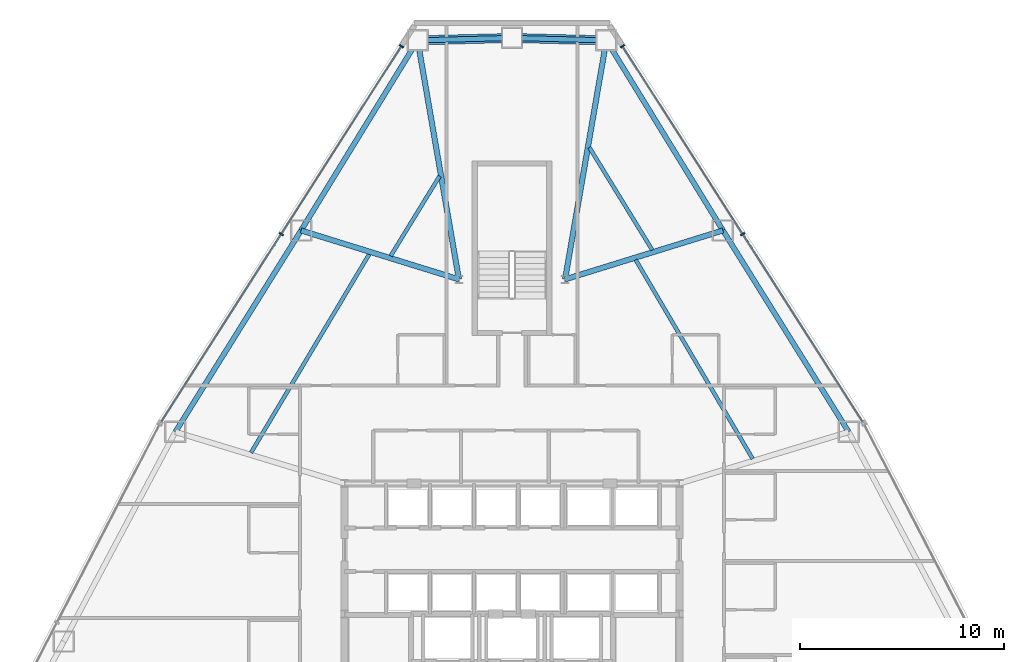
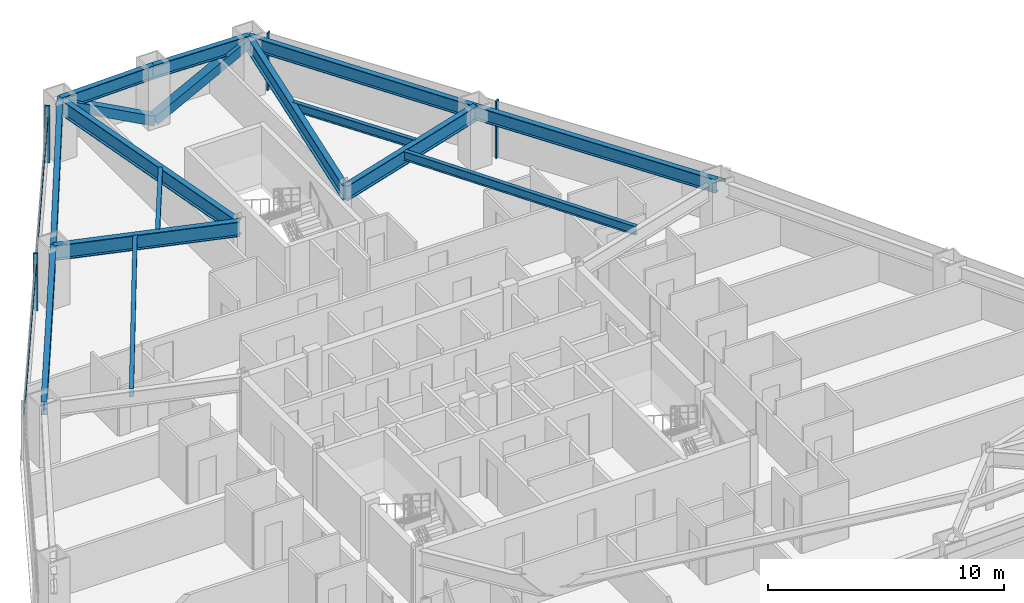
# One storey, part 7 of 13: 14 beams, 8 members, 2 elements without a shape of their own.
"""IFC4 building model written with IfcOpenShell, lengths in metres."""

from ifc_helpers import new_model, si_unit, direction, frame, origin, origin_2d, place, context, subcontext, project, spatial, rectangle, hollow_rectangle, i_section, extrude, source, transform, mapped, material, layer, layer_set, material_profile, profile_set, type_object, type_shapes, element, aggregate, save


model = new_model("IFC4")

# Units and contexts
model_context = context("Model", 3, precision=1e-05, world=origin(), true_north=direction((0.0, 1.0)))
body_context = subcontext(model_context, "Body", "Model", "MODEL_VIEW")
ifc_project = project(units=[si_unit("LENGTHUNIT", "METRE"), si_unit("AREAUNIT", "SQUARE_METRE"), si_unit("VOLUMEUNIT", "CUBIC_METRE"), si_unit("PLANEANGLEUNIT", "RADIAN"), si_unit("MASSUNIT", "GRAM", prefix="KILO")], contexts=[model_context])

# Site, building, storey
site_placement = place(None, origin())
site = spatial("IfcSite", under=ifc_project, at=site_placement, CompositionType="ELEMENT")
building_placement = place(site_placement, origin())
building = spatial("IfcBuilding", under=site, at=building_placement, Name="Varakhsha Concourse Tower", CompositionType="ELEMENT")
storey_placement = place(building_placement, frame((0.0, 0.0, 89.39990234375)))
storey = spatial("IfcBuildingStorey", under=building, at=storey_placement, Name="L25", CompositionType="ELEMENT", Elevation=89.39990234375)

# Beams
ifc_material_1 = material(Name="Structural Steel ASTM A992 Grade 50", Category="steel")
ifc_material_profile_1 = material_profile(ifc_material_1, i_section(OverallWidth=0.26611328125, OverallDepth=0.779052734375, WebThickness=0.01708984375, FlangeThickness=0.030029296875, at=origin_2d()), Name="W30X148")
ifc_profile_set_1 = profile_set([ifc_material_profile_1], Name="Structural Steel ASTM A992 Grade 50")
beam_type_1 = type_object("IfcBeamType", Name="BM-BASE-W30X148", PredefinedType="USERDEFINED", material=ifc_profile_set_1)
for number, where, z_axis, x_axis, name in (
    (1, (42.60009765625, 41.199951171875, 2.58056640625), (0.170345064454, 0.985384472689, 0.0), (-0.985384472689, 0.170345064454, 0.0), "L25 Radial Floor Girder 01"),
    (2, (37.39990234375, 41.199951171875, 2.58056640625), (-0.170345064454, 0.985384472689, 0.0), (-0.985384472689, -0.170345064454, 0.0), "L25 Radial Floor Girder 03"),
):
    element("IfcBeam", number, at=place(storey_placement, frame(where, z_axis=z_axis, x_axis=x_axis)), inside=storey, type_object=beam_type_1, Name=name, ObjectType="GIRDER", PredefinedType="USERDEFINED", context=body_context, shape_type="SweptSolid", body=[
        extrude(i_section(OverallWidth=0.26611328125, OverallDepth=0.779052734375, WebThickness=0.01708984375, FlangeThickness=0.030029296875, at=origin_2d()), origin(), (0.0, 0.0, 1.0), 11.8857421875),
    ])
for number, where, z_axis, x_axis, name in (
    (3, (37.39990234375, 41.199951171875, 2.58056640625), (-0.955235202711, 0.295847439573, 0.0), (-0.295847439573, -0.955235202711, 0.0), "L25 Radial Floor Girder 04"),
    (4, (42.60009765625, 41.199951171875, 2.58056640625), (0.955235202711, 0.295847439573, 0.0), (-0.295847439573, 0.955235202711, 0.0), "L25 Radial Floor Girder 18"),
):
    element("IfcBeam", number, at=place(storey_placement, frame(where, z_axis=z_axis, x_axis=x_axis)), inside=storey, type_object=beam_type_1, Name=name, ObjectType="GIRDER", PredefinedType="USERDEFINED", context=body_context, shape_type="SweptSolid", body=[
        extrude(i_section(OverallWidth=0.26611328125, OverallDepth=0.779052734375, WebThickness=0.01708984375, FlangeThickness=0.030029296875, at=origin_2d()), origin(), (0.0, 0.0, 1.0), 8.100341796875),
    ])
ifc_material_profile_2 = material_profile(ifc_material_1, i_section(OverallWidth=0.19091796875, OverallDepth=0.45703125, WebThickness=0.009033203125, FlangeThickness=0.013916015625, at=origin_2d()), Name="W18X50")
ifc_profile_set_2 = profile_set([ifc_material_profile_2], Name="Structural Steel ASTM A992 Grade 50")
beam_type_2 = type_object("IfcBeamType", Name="BM-JST-W18X50", PredefinedType="JOIST", material=ifc_profile_set_2)
beam_1_placement = place(storey_placement, frame((36.45166015625, 46.259521484375, 2.74169921875), z_axis=(-0.522781639756, -0.852466631097, 0.0), x_axis=(0.852466631097, -0.522781639756, 0.0)))
element("IfcBeam", 5, at=beam_1_placement, inside=storey, type_object=beam_type_2, Name="BM-TJST-L25-03", PredefinedType="JOIST", context=body_context, shape_type="SweptSolid", body=[
    extrude(i_section(OverallWidth=0.19091796875, OverallDepth=0.45703125, WebThickness=0.009033203125, FlangeThickness=0.013916015625, at=origin_2d()), origin(), (0.0, 0.0, 1.0), 4.58837890625),
])
beam_2_placement = place(storey_placement, frame((33.010498046875, 42.447509765625, 2.74169921875), z_axis=(-0.511661430078, -0.859187162946, 0.0), x_axis=(0.859187162946, -0.511661430078, 0.0)))
element("IfcBeam", 6, at=beam_2_placement, inside=storey, type_object=beam_type_2, Name="BM-TJST-L25-04", PredefinedType="JOIST", context=body_context, shape_type="SweptSolid", body=[
    extrude(i_section(OverallWidth=0.19091796875, OverallDepth=0.45703125, WebThickness=0.009033203125, FlangeThickness=0.013916015625, at=origin_2d()), origin(), (0.0, 0.0, 1.0), 11.335693359375),
])
beam_3_placement = place(storey_placement, frame((51.794677734375, 32.405517578125, 2.74169921875), z_axis=(-0.506799459264, 0.862063981436, 0.0), x_axis=(-0.862063981436, -0.506799459264, 0.0)))
element("IfcBeam", 7, at=beam_3_placement, inside=storey, type_object=beam_type_2, Name="BM-TJST-L25-17", PredefinedType="JOIST", context=body_context, shape_type="SweptSolid", body=[
    extrude(i_section(OverallWidth=0.19091796875, OverallDepth=0.45703125, WebThickness=0.009033203125, FlangeThickness=0.013916015625, at=origin_2d()), origin(), (0.0, 0.0, 1.0), 11.31494140625),
])
beam_4_placement = place(storey_placement, frame((46.875732421875, 42.6357421875, 2.74169921875), z_axis=(-0.522796878119, 0.852457285868, 0.0), x_axis=(-0.852457285868, -0.522796878119, 0.0)))
element("IfcBeam", 8, at=beam_4_placement, inside=storey, type_object=beam_type_2, Name="BM-TJST-L25-18", PredefinedType="JOIST", context=body_context, shape_type="SweptSolid", body=[
    extrude(i_section(OverallWidth=0.19091796875, OverallDepth=0.45703125, WebThickness=0.009033203125, FlangeThickness=0.013916015625, at=origin_2d()), origin(), (0.0, 0.0, 1.0), 5.8994140625),
])
ifc_material_profile_3 = material_profile(ifc_material_1, i_section(OverallWidth=0.25390625, OverallDepth=0.701904296875, WebThickness=0.014892578125, FlangeThickness=0.028076171875, at=origin_2d()), Name="W27X129")
ifc_profile_set_3 = profile_set([ifc_material_profile_3], Name="Structural Steel ASTM A992 Grade 50")
beam_type_3 = type_object("IfcBeamType", Name="BM-SPAN-W27X129", PredefinedType="SPANDREL", material=ifc_profile_set_3)
for number, where, z_axis, x_axis, name in (
    (9, (44.624755859375, 52.911865234375, 2.619140625), (-0.99966833776, 0.025752950896, 0.0), (-0.025752950896, -0.99966833776, 0.0), "BM-SPAN-L25-01"),
    (10, (40.0, 53.031005859375, 2.619140625), (-0.99966833776, -0.025752950896, 0.0), (0.025752950896, -0.99966833776, 0.0), "BM-SPAN-L25-02"),
):
    element("IfcBeam", number, at=place(storey_placement, frame(where, z_axis=z_axis, x_axis=x_axis)), inside=storey, type_object=beam_type_3, Name=name, PredefinedType="SPANDREL", context=body_context, shape_type="SweptSolid", body=[
        extrude(i_section(OverallWidth=0.25390625, OverallDepth=0.701904296875, WebThickness=0.014892578125, FlangeThickness=0.028076171875, at=origin_2d()), origin(), (0.0, 0.0, 1.0), 4.626220703125),
    ])
beam_5_placement = place(storey_placement, frame((35.375244140625, 52.911865234375, 2.619140625), z_axis=(-0.522806691271, -0.852451267559, 0.0), x_axis=(0.852451267559, -0.522806691271, 0.0)))
element("IfcBeam", 11, at=beam_5_placement, inside=storey, type_object=beam_type_3, Name="BM-SPAN-L25-03", PredefinedType="SPANDREL", context=body_context, shape_type="SweptSolid", body=[
    extrude(i_section(OverallWidth=0.25390625, OverallDepth=0.701904296875, WebThickness=0.014892578125, FlangeThickness=0.028076171875, at=origin_2d()), origin(), (0.0, 0.0, 1.0), 10.927734375),
])
for number, where, z_axis, x_axis, name in (
    (12, (29.662109375, 43.596435546875, 2.619140625), (-0.529257520132, -0.848461240944, 0.0), (0.848461240944, -0.529257520132, 0.0), "BM-SPAN-L25-04"),
    (13, (56.49609375, 33.72412109375, 2.619140625), (-0.529257520132, 0.848461240944, 0.0), (-0.848461240944, -0.529257520132, 0.0), "BM-SPAN-L25-17"),
):
    element("IfcBeam", number, at=place(storey_placement, frame(where, z_axis=z_axis, x_axis=x_axis)), inside=storey, type_object=beam_type_3, Name=name, PredefinedType="SPANDREL", context=body_context, shape_type="SweptSolid", body=[
        extrude(i_section(OverallWidth=0.25390625, OverallDepth=0.701904296875, WebThickness=0.014892578125, FlangeThickness=0.028076171875, at=origin_2d()), origin(), (0.0, 0.0, 1.0), 11.635498046875),
    ])
beam_6_placement = place(storey_placement, frame((50.337890625, 43.596435546875, 2.619140625), z_axis=(-0.522806691271, 0.852451267559, 0.0), x_axis=(-0.852451267559, -0.522806691271, 0.0)))
element("IfcBeam", 14, at=beam_6_placement, inside=storey, type_object=beam_type_3, Name="BM-SPAN-L25-18", PredefinedType="SPANDREL", context=body_context, shape_type="SweptSolid", body=[
    extrude(i_section(OverallWidth=0.25390625, OverallDepth=0.701904296875, WebThickness=0.014892578125, FlangeThickness=0.028076171875, at=origin_2d()), origin(), (0.0, 0.0, 1.0), 10.927734375),
])

# Members
ifc_material_2 = material(Name="Structural Steel ASTM A500 Grade C", Category="steel")
ifc_material_profile_4 = material_profile(ifc_material_2, hollow_rectangle(XDim=0.449951171875, YDim=0.449951171875, WallThickness=0.01904296875, at=origin_2d()), Name="HSS 450x450x19")
ifc_profile_set_4 = profile_set([ifc_material_profile_4], Name="Structural Steel ASTM A500 Grade C")
member_type_1 = type_object("IfcMemberType", Name="MB-TUBE-HSS450", PredefinedType="BRACE", material=ifc_profile_set_4)
shared_shape_1 = source(origin(), body_context, "Body", "SweptSolid", [
    extrude(hollow_rectangle(XDim=0.449951171875, YDim=0.449951171875, WallThickness=0.01904296875, at=origin_2d()), origin(), (0.0, 0.0, 1.0), 5.282470703125),
])
type_shapes(member_type_1, [shared_shape_1])
for number, where, z_axis, x_axis, name in (
    (15, (40.0, 53.031005859375, 0.1201171875), (0.875478294979, -0.022553629729, 0.482730865811), (0.025752950896, 0.99966833776, 0.0), "L25 Wind-Corner Tube Brace B01"),
    (16, (40.0, 53.031005859375, 0.1201171875), (-0.875478294979, -0.022553629729, 0.482730865811), (0.025752950896, -0.99966833776, 0.0), "L25 Wind-Corner Tube Brace B02"),
):
    element("IfcMember", number, at=place(storey_placement, frame(where, z_axis=z_axis, x_axis=x_axis)), inside=storey, type_object=member_type_1, Name=name, PredefinedType="BRACE", context=body_context, shape_type="MappedRepresentation", body=[
        mapped(shared_shape_1, transform((0.0, 0.0, 0.0), scale=1.0)),
    ])

# Curtain wall, members
ifc_material_3 = material(Name="Anodised Bronze Architectural Aluminium AA 6063-T6", Category="aluminium")
ifc_layer = layer(ifc_material_3, 0.199951171875, Name="CW-SYS-03")
ifc_layer_set = layer_set([ifc_layer], Name="Anodised Bronze Architectural Aluminium AA 6063-T6")
curtain_wall_type = type_object("IfcCurtainWallType", Name="CW-SYS-03", PredefinedType="NOTDEFINED", material=ifc_layer_set)
curtain_wall_1_placement = place(storey_placement, origin())
curtain_wall_1 = element("IfcCurtainWall", 17, at=curtain_wall_1_placement, inside=storey, type_object=curtain_wall_type, Name="L25 Crystal Curtain Wall F2", PredefinedType="NOTDEFINED")
ifc_material_profile_5 = material_profile(ifc_material_3, rectangle(XDim=0.074951171875, YDim=0.219970703125, at=origin_2d()), Name="CWM-220X75")
ifc_profile_set_5 = profile_set([ifc_material_profile_5], Name="Anodised Bronze Architectural Aluminium AA 6063-T6")
member_type_2 = type_object("IfcMemberType", Name="CWM-220X75", PredefinedType="MULLION", material=ifc_profile_set_5)
shared_shape_2 = source(origin(), body_context, "Body", "SweptSolid", [
    extrude(rectangle(XDim=0.074951171875, YDim=0.219970703125, at=origin_2d()), origin(), (0.0, 0.0, 1.0), 2.97021484375),
])
type_shapes(member_type_2, [shared_shape_2])
member_1_placement = place(storey_placement, frame((28.694580078125, 43.419921875, 0.0), z_axis=(0.0, 0.0, 1.0), x_axis=(0.538786958833, 0.842442053195, 0.0)))
member_1 = element("IfcMember", 18, at=member_1_placement, type_object=member_type_2, Name="CW-L25-F2 Mullion 01", PredefinedType="MULLION", context=body_context, shape_type="MappedRepresentation", body=[
    mapped(shared_shape_2, transform((0.0, 0.0, 0.0), scale=1.0)),
])
member_2_placement = place(storey_placement, frame((34.583984375, 52.62841796875, 0.0), z_axis=(0.0, 0.0, 1.0), x_axis=(0.538786958833, 0.842442053195, 0.0)))
member_2 = element("IfcMember", 19, at=member_2_placement, type_object=member_type_2, Name="CW-L25-F2 Mullion 02", PredefinedType="MULLION", context=body_context, shape_type="MappedRepresentation", body=[
    mapped(shared_shape_2, transform((0.0, 0.0, 0.0), scale=1.0)),
])

curtain_wall_2_placement = place(storey_placement, origin())
curtain_wall_2 = element("IfcCurtainWall", 20, at=curtain_wall_2_placement, inside=storey, type_object=curtain_wall_type, Name="L25 Crystal Curtain Wall F9", PredefinedType="NOTDEFINED")
member_3_placement = place(storey_placement, frame((45.416015625, 52.62841796875, 0.0), z_axis=(0.0, 0.0, 1.0), x_axis=(0.538786958833, -0.842442053195, 0.0)))
member_3 = element("IfcMember", 21, at=member_3_placement, type_object=member_type_2, Name="CW-L25-F9 Mullion 00", PredefinedType="MULLION", context=body_context, shape_type="MappedRepresentation", body=[
    mapped(shared_shape_2, transform((0.0, 0.0, 0.0), scale=1.0)),
])
member_4_placement = place(storey_placement, frame((51.305419921875, 43.419921875, 0.0), z_axis=(0.0, 0.0, 1.0), x_axis=(0.538786958833, -0.842442053195, 0.0)))
member_4 = element("IfcMember", 22, at=member_4_placement, type_object=member_type_2, Name="CW-L25-F9 Mullion 01", PredefinedType="MULLION", context=body_context, shape_type="MappedRepresentation", body=[
    mapped(shared_shape_2, transform((0.0, 0.0, 0.0), scale=1.0)),
])

# Member
ifc_material_profile_6 = material_profile(ifc_material_3, rectangle(XDim=0.06494140625, YDim=0.159912109375, at=origin_2d()), Name="CWT-160X65")
ifc_profile_set_6 = profile_set([ifc_material_profile_6], Name="Anodised Bronze Architectural Aluminium AA 6063-T6")
member_type_3 = type_object("IfcMemberType", Name="CWT-160X65", PredefinedType="USERDEFINED", material=ifc_profile_set_6)
shared_shape_3 = source(origin(), body_context, "Body", "SweptSolid", [
    extrude(rectangle(XDim=0.06494140625, YDim=0.159912109375, at=origin_2d()), origin(), (0.0, 0.0, 1.0), 21.861572265625),
])
type_shapes(member_type_3, [shared_shape_3])
member_5_placement = place(storey_placement, frame((22.805419921875, 34.211181640625, 2.320068359375), z_axis=(0.538778915353, 0.842447197378, 0.0), x_axis=(-0.842447197378, 0.538778915353, 0.0)))
member_5 = element("IfcMember", 23, at=member_5_placement, type_object=member_type_3, Name="CW-L25-F2 Transom 01", ObjectType="TRANSOM", PredefinedType="USERDEFINED", context=body_context, shape_type="MappedRepresentation", body=[
    mapped(shared_shape_3, transform((0.0, 0.0, 0.0), scale=1.0)),
])

aggregate(curtain_wall_1, [member_1, member_2, member_5])

member_6_placement = place(storey_placement, frame((45.416015625, 52.62841796875, 2.320068359375), z_axis=(0.538778915353, -0.842447197378, 0.0), x_axis=(0.842447197378, 0.538778915353, 0.0)))
member_6 = element("IfcMember", 24, at=member_6_placement, type_object=member_type_3, Name="CW-L25-F9 Transom 01", ObjectType="TRANSOM", PredefinedType="USERDEFINED", context=body_context, shape_type="MappedRepresentation", body=[
    mapped(shared_shape_3, transform((0.0, 0.0, 0.0), scale=1.0)),
])

aggregate(curtain_wall_2, [member_3, member_4, member_6])

save(model, "model.ifc")
